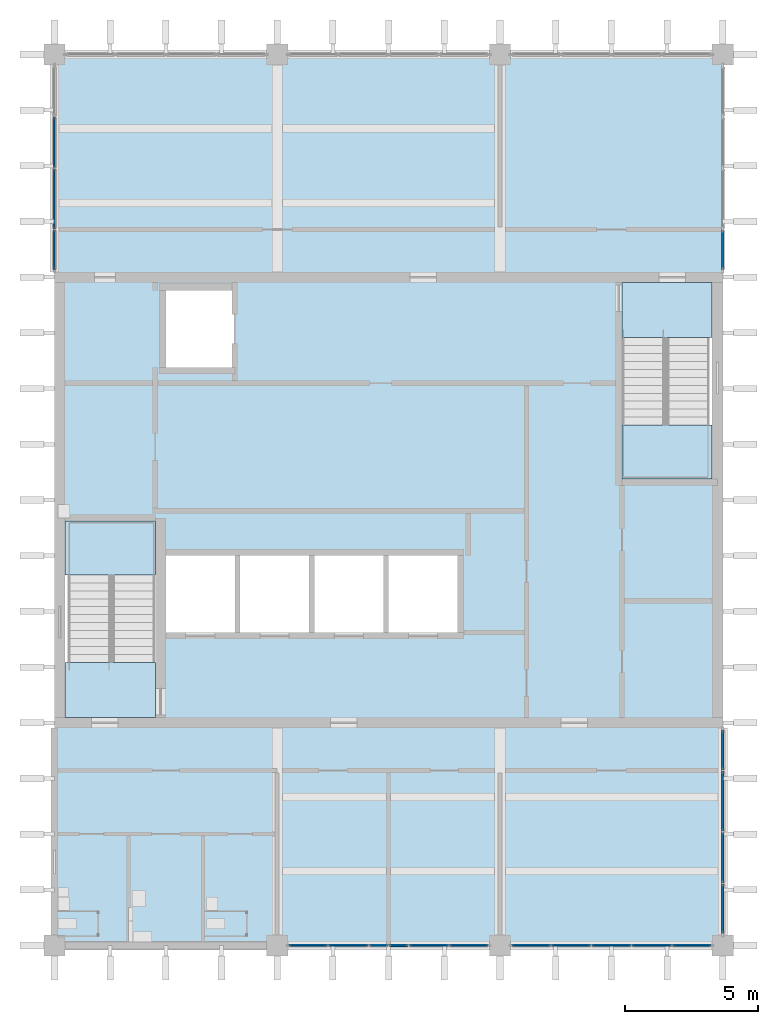
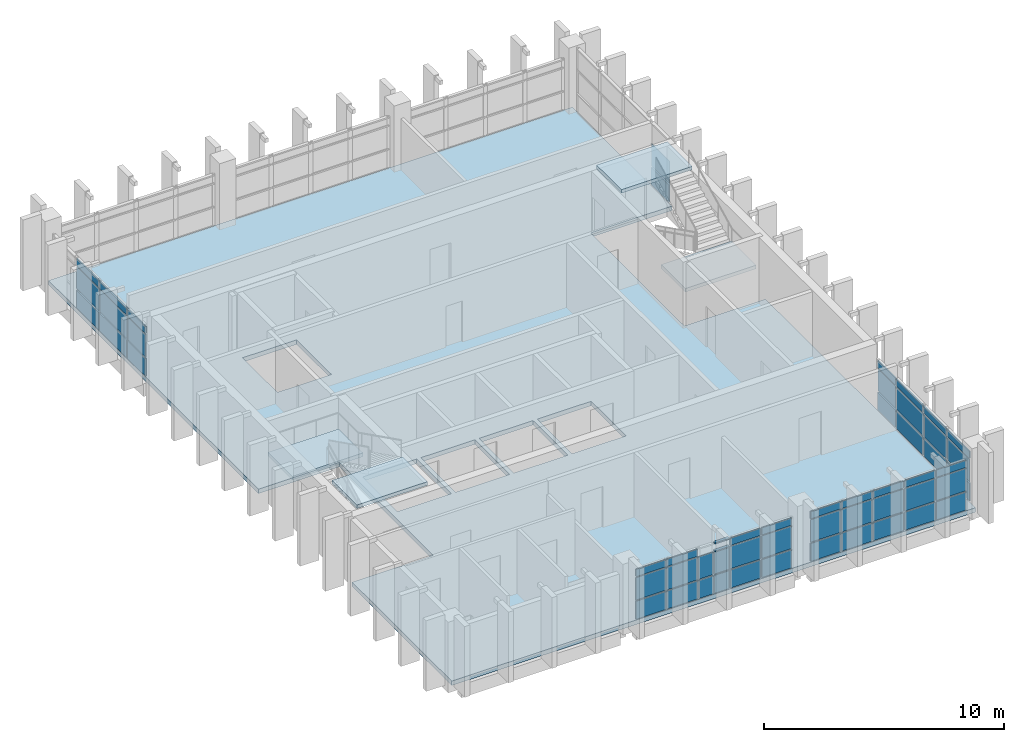
# One storey, part 5 of 11: 54 plates, 5 slabs, 2 members, 7 elements without a shape of their own.
"""IFC4 building model written with IfcOpenShell, lengths in metres."""

from ifc_helpers import new_model, si_unit, direction, frame, origin, origin_2d, place, context, subcontext, project, spatial, polyline, rectangle, outline, extrude, material, layer, layer_set, material_profile, profile_set, type_object, element, aggregate, save


model = new_model("IFC4")

# Units and contexts
model_context = context("Model", 3, precision=1e-05, world=origin(), true_north=direction((0.0, 1.0)))
body_context = subcontext(model_context, "Body", "Model", "MODEL_VIEW")
ifc_project = project(units=[si_unit("LENGTHUNIT", "METRE"), si_unit("AREAUNIT", "SQUARE_METRE"), si_unit("VOLUMEUNIT", "CUBIC_METRE"), si_unit("PLANEANGLEUNIT", "RADIAN"), si_unit("MASSUNIT", "GRAM", prefix="KILO")], contexts=[model_context])

# Site, building, storey
site_placement = place(None, origin())
site = spatial("IfcSite", under=ifc_project, at=site_placement, CompositionType="ELEMENT")
building_placement = place(site_placement, origin())
building = spatial("IfcBuilding", under=site, at=building_placement, Name="Rulbaag Community and Learning Centre", CompositionType="ELEMENT")
storey_placement = place(building_placement, frame((0.0, 0.0, 43.199951171875)))
storey = spatial("IfcBuildingStorey", under=building, at=storey_placement, Name="L11", CompositionType="ELEMENT", Elevation=43.199951171875)

# Curtain wall, members, plates
ifc_material_1 = material(Name="Aluminium", Category="aluminium")
ifc_layer_1 = layer(ifc_material_1, 0.14990234375)
ifc_layer_set_1 = layer_set([ifc_layer_1], Name="CW-S")
curtain_wall_type_1 = type_object("IfcCurtainWallType", Name="CW-S", PredefinedType="USERDEFINED", material=ifc_layer_set_1)
curtain_wall_1_placement = place(storey_placement, origin())
curtain_wall_1 = element("IfcCurtainWall", 1, at=curtain_wall_1_placement, inside=storey, type_object=curtain_wall_type_1, Name="GS-L11-01", ObjectType="UNITISED CURTAIN WALL", PredefinedType="USERDEFINED")
ifc_material_2 = material(Name="Aluminium transom", Category="aluminium")
ifc_material_profile = material_profile(ifc_material_2, rectangle(XDim=0.125, YDim=0.06005859375, at=origin_2d()), Name="AL 60x125 T")
ifc_profile_set = profile_set([ifc_material_profile], Name="Aluminium transom")
member_type = type_object("IfcMemberType", Name="CW-S-TRN", PredefinedType="USERDEFINED", material=ifc_profile_set)
member_1_placement = place(storey_placement, frame((155.429931640625, 84.0, 2.199951171875), z_axis=(1.0, 0.0, 0.0), x_axis=(0.0, 1.0, 0.0)))
member_1 = element("IfcMember", 2, at=member_1_placement, type_object=member_type, Name="GS transom 4.3", ObjectType="TRANSOM", PredefinedType="USERDEFINED", context=body_context, shape_type="SweptSolid", body=[
    extrude(rectangle(XDim=0.125, YDim=0.06005859375, at=origin_2d()), origin(), (0.0, 0.0, 1.0), 0.699951171875),
])
member_2_placement = place(storey_placement, frame((155.429931640625, 84.0, 2.6201171875), z_axis=(1.0, 0.0, 0.0), x_axis=(0.0, 1.0, 0.0)))
member_2 = element("IfcMember", 3, at=member_2_placement, type_object=member_type, Name="GS transom 4.4", ObjectType="TRANSOM", PredefinedType="USERDEFINED", context=body_context, shape_type="SweptSolid", body=[
    extrude(rectangle(XDim=0.125, YDim=0.06005859375, at=origin_2d()), origin(), (0.0, 0.0, 1.0), 0.699951171875),
])
ifc_layer_2 = layer(ifc_material_1, 0.054931640625)
ifc_layer_set_2 = layer_set([ifc_layer_2], Name="CW-S-SPN")
plate_type_1 = type_object("IfcPlateType", Name="CW-S-SPN", PredefinedType="CURTAIN_PANEL", material=ifc_layer_set_2)
plate_1_placement = place(storey_placement, frame((152.375, 84.0, 0.06005859375), z_axis=(0.0, 0.0, 1.0), x_axis=(1.0, 0.0, 0.0)))
plate_1 = element("IfcPlate", 4, at=plate_1_placement, type_object=plate_type_1, Name="GS spandrel panel", PredefinedType="CURTAIN_PANEL", context=body_context, shape_type="SweptSolid", body=[
    extrude(rectangle(XDim=1.429931640625, YDim=0.054931640625, at=origin_2d()), origin(), (0.0, 0.0, 1.0), 0.909912109375),
])
plate_2_placement = place(storey_placement, frame((152.375, 84.0, 2.22998046875), z_axis=(0.0, 0.0, 1.0), x_axis=(1.0, 0.0, 0.0)))
plate_2 = element("IfcPlate", 5, at=plate_2_placement, type_object=plate_type_1, Name="GS spandrel panel", PredefinedType="CURTAIN_PANEL", context=body_context, shape_type="SweptSolid", body=[
    extrude(rectangle(XDim=1.429931640625, YDim=0.054931640625, at=origin_2d()), origin(), (0.0, 0.0, 1.0), 0.360107421875),
])
plate_3_placement = place(storey_placement, frame((153.8798828125, 84.0, 0.06005859375), z_axis=(0.0, 0.0, 1.0), x_axis=(1.0, 0.0, 0.0)))
plate_3 = element("IfcPlate", 6, at=plate_3_placement, type_object=plate_type_1, Name="GS spandrel panel", PredefinedType="CURTAIN_PANEL", context=body_context, shape_type="SweptSolid", body=[
    extrude(rectangle(XDim=1.4599609375, YDim=0.054931640625, at=origin_2d()), origin(), (0.0, 0.0, 1.0), 0.909912109375),
])
plate_4_placement = place(storey_placement, frame((153.8798828125, 84.0, 2.22998046875), z_axis=(0.0, 0.0, 1.0), x_axis=(1.0, 0.0, 0.0)))
plate_4 = element("IfcPlate", 7, at=plate_4_placement, type_object=plate_type_1, Name="GS spandrel panel", PredefinedType="CURTAIN_PANEL", context=body_context, shape_type="SweptSolid", body=[
    extrude(rectangle(XDim=1.4599609375, YDim=0.054931640625, at=origin_2d()), origin(), (0.0, 0.0, 1.0), 0.360107421875),
])
plate_5_placement = place(storey_placement, frame((155.02001953125, 84.0, 0.06005859375), z_axis=(0.0, 0.0, 1.0), x_axis=(1.0, 0.0, 0.0)))
plate_5 = element("IfcPlate", 8, at=plate_5_placement, type_object=plate_type_1, Name="GS spandrel panel", PredefinedType="CURTAIN_PANEL", context=body_context, shape_type="SweptSolid", body=[
    extrude(rectangle(XDim=0.699951171875, YDim=0.054931640625, at=origin_2d()), origin(), (0.0, 0.0, 1.0), 0.909912109375),
])
plate_6_placement = place(storey_placement, frame((155.780029296875, 84.0, 0.06005859375), z_axis=(0.0, 0.0, 1.0), x_axis=(1.0, 0.0, 0.0)))
plate_6 = element("IfcPlate", 9, at=plate_6_placement, type_object=plate_type_1, Name="GS spandrel panel", PredefinedType="CURTAIN_PANEL", context=body_context, shape_type="SweptSolid", body=[
    extrude(rectangle(XDim=0.699951171875, YDim=0.054931640625, at=origin_2d()), origin(), (0.0, 0.0, 1.0), 0.909912109375),
])
plate_7_placement = place(storey_placement, frame((156.919921875, 84.0, 0.06005859375), z_axis=(0.0, 0.0, 1.0), x_axis=(1.0, 0.0, 0.0)))
plate_7 = element("IfcPlate", 10, at=plate_7_placement, type_object=plate_type_1, Name="GS spandrel panel", PredefinedType="CURTAIN_PANEL", context=body_context, shape_type="SweptSolid", body=[
    extrude(rectangle(XDim=1.4599609375, YDim=0.054931640625, at=origin_2d()), origin(), (0.0, 0.0, 1.0), 0.909912109375),
])
plate_8_placement = place(storey_placement, frame((156.919921875, 84.0, 2.22998046875), z_axis=(0.0, 0.0, 1.0), x_axis=(1.0, 0.0, 0.0)))
plate_8 = element("IfcPlate", 11, at=plate_8_placement, type_object=plate_type_1, Name="GS spandrel panel", PredefinedType="CURTAIN_PANEL", context=body_context, shape_type="SweptSolid", body=[
    extrude(rectangle(XDim=1.4599609375, YDim=0.054931640625, at=origin_2d()), origin(), (0.0, 0.0, 1.0), 0.360107421875),
])
plate_9_placement = place(storey_placement, frame((158.425048828125, 84.0, 0.06005859375), z_axis=(0.0, 0.0, 1.0), x_axis=(1.0, 0.0, 0.0)))
plate_9 = element("IfcPlate", 12, at=plate_9_placement, type_object=plate_type_1, Name="GS spandrel panel", PredefinedType="CURTAIN_PANEL", context=body_context, shape_type="SweptSolid", body=[
    extrude(rectangle(XDim=1.429931640625, YDim=0.054931640625, at=origin_2d()), origin(), (0.0, 0.0, 1.0), 0.909912109375),
])
plate_10_placement = place(storey_placement, frame((158.425048828125, 84.0, 2.22998046875), z_axis=(0.0, 0.0, 1.0), x_axis=(1.0, 0.0, 0.0)))
plate_10 = element("IfcPlate", 13, at=plate_10_placement, type_object=plate_type_1, Name="GS spandrel panel", PredefinedType="CURTAIN_PANEL", context=body_context, shape_type="SweptSolid", body=[
    extrude(rectangle(XDim=1.429931640625, YDim=0.054931640625, at=origin_2d()), origin(), (0.0, 0.0, 1.0), 0.360107421875),
])

# Curtain wall, plates
curtain_wall_2_placement = place(storey_placement, origin())
curtain_wall_2 = element("IfcCurtainWall", 14, at=curtain_wall_2_placement, inside=storey, type_object=curtain_wall_type_1, Name="GS-L11-02", ObjectType="UNITISED CURTAIN WALL", PredefinedType="USERDEFINED")
plate_11_placement = place(storey_placement, frame((160.77490234375, 84.0, 0.06005859375), z_axis=(0.0, 0.0, 1.0), x_axis=(1.0, 0.0, 0.0)))
plate_11 = element("IfcPlate", 15, at=plate_11_placement, type_object=plate_type_1, Name="GS spandrel panel", PredefinedType="CURTAIN_PANEL", context=body_context, shape_type="SweptSolid", body=[
    extrude(rectangle(XDim=1.429931640625, YDim=0.054931640625, at=origin_2d()), origin(), (0.0, 0.0, 1.0), 0.909912109375),
])
plate_12_placement = place(storey_placement, frame((160.77490234375, 84.0, 2.22998046875), z_axis=(0.0, 0.0, 1.0), x_axis=(1.0, 0.0, 0.0)))
plate_12 = element("IfcPlate", 16, at=plate_12_placement, type_object=plate_type_1, Name="GS spandrel panel", PredefinedType="CURTAIN_PANEL", context=body_context, shape_type="SweptSolid", body=[
    extrude(rectangle(XDim=1.429931640625, YDim=0.054931640625, at=origin_2d()), origin(), (0.0, 0.0, 1.0), 0.360107421875),
])
plate_13_placement = place(storey_placement, frame((162.280029296875, 84.0, 0.06005859375), z_axis=(0.0, 0.0, 1.0), x_axis=(1.0, 0.0, 0.0)))
plate_13 = element("IfcPlate", 17, at=plate_13_placement, type_object=plate_type_1, Name="GS spandrel panel", PredefinedType="CURTAIN_PANEL", context=body_context, shape_type="SweptSolid", body=[
    extrude(rectangle(XDim=1.4599609375, YDim=0.054931640625, at=origin_2d()), origin(), (0.0, 0.0, 1.0), 0.909912109375),
])
plate_14_placement = place(storey_placement, frame((162.280029296875, 84.0, 2.22998046875), z_axis=(0.0, 0.0, 1.0), x_axis=(1.0, 0.0, 0.0)))
plate_14 = element("IfcPlate", 18, at=plate_14_placement, type_object=plate_type_1, Name="GS spandrel panel", PredefinedType="CURTAIN_PANEL", context=body_context, shape_type="SweptSolid", body=[
    extrude(rectangle(XDim=1.4599609375, YDim=0.054931640625, at=origin_2d()), origin(), (0.0, 0.0, 1.0), 0.360107421875),
])
plate_15_placement = place(storey_placement, frame((163.800048828125, 84.0, 0.06005859375), z_axis=(0.0, 0.0, 1.0), x_axis=(1.0, 0.0, 0.0)))
plate_15 = element("IfcPlate", 19, at=plate_15_placement, type_object=plate_type_1, Name="GS spandrel panel", PredefinedType="CURTAIN_PANEL", context=body_context, shape_type="SweptSolid", body=[
    extrude(rectangle(XDim=1.4599609375, YDim=0.054931640625, at=origin_2d()), origin(), (0.0, 0.0, 1.0), 0.909912109375),
])
plate_16_placement = place(storey_placement, frame((163.800048828125, 84.0, 2.22998046875), z_axis=(0.0, 0.0, 1.0), x_axis=(1.0, 0.0, 0.0)))
plate_16 = element("IfcPlate", 20, at=plate_16_placement, type_object=plate_type_1, Name="GS spandrel panel", PredefinedType="CURTAIN_PANEL", context=body_context, shape_type="SweptSolid", body=[
    extrude(rectangle(XDim=1.4599609375, YDim=0.054931640625, at=origin_2d()), origin(), (0.0, 0.0, 1.0), 0.360107421875),
])
plate_17_placement = place(storey_placement, frame((165.320068359375, 84.0, 0.06005859375), z_axis=(0.0, 0.0, 1.0), x_axis=(1.0, 0.0, 0.0)))
plate_17 = element("IfcPlate", 21, at=plate_17_placement, type_object=plate_type_1, Name="GS spandrel panel", PredefinedType="CURTAIN_PANEL", context=body_context, shape_type="SweptSolid", body=[
    extrude(rectangle(XDim=1.4599609375, YDim=0.054931640625, at=origin_2d()), origin(), (0.0, 0.0, 1.0), 0.909912109375),
])
plate_18_placement = place(storey_placement, frame((165.320068359375, 84.0, 2.22998046875), z_axis=(0.0, 0.0, 1.0), x_axis=(1.0, 0.0, 0.0)))
plate_18 = element("IfcPlate", 22, at=plate_18_placement, type_object=plate_type_1, Name="GS spandrel panel", PredefinedType="CURTAIN_PANEL", context=body_context, shape_type="SweptSolid", body=[
    extrude(rectangle(XDim=1.4599609375, YDim=0.054931640625, at=origin_2d()), origin(), (0.0, 0.0, 1.0), 0.360107421875),
])
plate_19_placement = place(storey_placement, frame((166.824951171875, 84.0, 0.06005859375), z_axis=(0.0, 0.0, 1.0), x_axis=(1.0, 0.0, 0.0)))
plate_19 = element("IfcPlate", 23, at=plate_19_placement, type_object=plate_type_1, Name="GS spandrel panel", PredefinedType="CURTAIN_PANEL", context=body_context, shape_type="SweptSolid", body=[
    extrude(rectangle(XDim=1.429931640625, YDim=0.054931640625, at=origin_2d()), origin(), (0.0, 0.0, 1.0), 0.909912109375),
])
plate_20_placement = place(storey_placement, frame((166.824951171875, 84.0, 2.22998046875), z_axis=(0.0, 0.0, 1.0), x_axis=(1.0, 0.0, 0.0)))
plate_20 = element("IfcPlate", 24, at=plate_20_placement, type_object=plate_type_1, Name="GS spandrel panel", PredefinedType="CURTAIN_PANEL", context=body_context, shape_type="SweptSolid", body=[
    extrude(rectangle(XDim=1.429931640625, YDim=0.054931640625, at=origin_2d()), origin(), (0.0, 0.0, 1.0), 0.360107421875),
])

# Plate
ifc_material_3 = material(Name="Glass", Category="glass")
ifc_layer_3 = layer(ifc_material_3, 0.030029296875)
ifc_layer_set_3 = layer_set([ifc_layer_3], Name="CW-S-VIS")
plate_type_2 = type_object("IfcPlateType", Name="CW-S-VIS", PredefinedType="CURTAIN_PANEL", material=ifc_layer_set_3)
plate_21_placement = place(storey_placement, frame((152.375, 84.0, 1.0302734375), z_axis=(0.0, 0.0, 1.0), x_axis=(1.0, 0.0, 0.0)))
plate_21 = element("IfcPlate", 25, at=plate_21_placement, type_object=plate_type_2, Name="GS vision panel", PredefinedType="CURTAIN_PANEL", context=body_context, shape_type="SweptSolid", body=[
    extrude(rectangle(XDim=1.429931640625, YDim=0.030029296875, at=origin_2d()), origin(), (0.0, 0.0, 1.0), 1.139892578125),
])

plate_22_placement = place(storey_placement, frame((153.8798828125, 84.0, 1.0302734375), z_axis=(0.0, 0.0, 1.0), x_axis=(1.0, 0.0, 0.0)))
plate_22 = element("IfcPlate", 26, at=plate_22_placement, type_object=plate_type_2, Name="GS vision panel", PredefinedType="CURTAIN_PANEL", context=body_context, shape_type="SweptSolid", body=[
    extrude(rectangle(XDim=1.4599609375, YDim=0.030029296875, at=origin_2d()), origin(), (0.0, 0.0, 1.0), 1.139892578125),
])

plate_23_placement = place(storey_placement, frame((155.02001953125, 84.0, 1.0302734375), z_axis=(0.0, 0.0, 1.0), x_axis=(1.0, 0.0, 0.0)))
plate_23 = element("IfcPlate", 27, at=plate_23_placement, type_object=plate_type_2, Name="GS vision panel", PredefinedType="CURTAIN_PANEL", context=body_context, shape_type="SweptSolid", body=[
    extrude(rectangle(XDim=0.699951171875, YDim=0.030029296875, at=origin_2d()), origin(), (0.0, 0.0, 1.0), 1.139892578125),
])

plate_24_placement = place(storey_placement, frame((155.780029296875, 84.0, 1.0302734375), z_axis=(0.0, 0.0, 1.0), x_axis=(1.0, 0.0, 0.0)))
plate_24 = element("IfcPlate", 28, at=plate_24_placement, type_object=plate_type_2, Name="GS vision panel", PredefinedType="CURTAIN_PANEL", context=body_context, shape_type="SweptSolid", body=[
    extrude(rectangle(XDim=0.699951171875, YDim=0.030029296875, at=origin_2d()), origin(), (0.0, 0.0, 1.0), 1.139892578125),
])

plate_25_placement = place(storey_placement, frame((156.919921875, 84.0, 1.0302734375), z_axis=(0.0, 0.0, 1.0), x_axis=(1.0, 0.0, 0.0)))
plate_25 = element("IfcPlate", 29, at=plate_25_placement, type_object=plate_type_2, Name="GS vision panel", PredefinedType="CURTAIN_PANEL", context=body_context, shape_type="SweptSolid", body=[
    extrude(rectangle(XDim=1.4599609375, YDim=0.030029296875, at=origin_2d()), origin(), (0.0, 0.0, 1.0), 1.139892578125),
])

plate_26_placement = place(storey_placement, frame((158.425048828125, 84.0, 1.0302734375), z_axis=(0.0, 0.0, 1.0), x_axis=(1.0, 0.0, 0.0)))
plate_26 = element("IfcPlate", 30, at=plate_26_placement, type_object=plate_type_2, Name="GS vision panel", PredefinedType="CURTAIN_PANEL", context=body_context, shape_type="SweptSolid", body=[
    extrude(rectangle(XDim=1.429931640625, YDim=0.030029296875, at=origin_2d()), origin(), (0.0, 0.0, 1.0), 1.139892578125),
])

aggregate(curtain_wall_1, [plate_1, plate_21, plate_2, plate_3, plate_22, plate_4, plate_5, plate_23, member_1, member_2, plate_6, plate_24, plate_7, plate_25, plate_8, plate_9, plate_26, plate_10])

plate_27_placement = place(storey_placement, frame((160.77490234375, 84.0, 1.0302734375), z_axis=(0.0, 0.0, 1.0), x_axis=(1.0, 0.0, 0.0)))
plate_27 = element("IfcPlate", 31, at=plate_27_placement, type_object=plate_type_2, Name="GS vision panel", PredefinedType="CURTAIN_PANEL", context=body_context, shape_type="SweptSolid", body=[
    extrude(rectangle(XDim=1.429931640625, YDim=0.030029296875, at=origin_2d()), origin(), (0.0, 0.0, 1.0), 1.139892578125),
])

plate_28_placement = place(storey_placement, frame((162.280029296875, 84.0, 1.0302734375), z_axis=(0.0, 0.0, 1.0), x_axis=(1.0, 0.0, 0.0)))
plate_28 = element("IfcPlate", 32, at=plate_28_placement, type_object=plate_type_2, Name="GS vision panel", PredefinedType="CURTAIN_PANEL", context=body_context, shape_type="SweptSolid", body=[
    extrude(rectangle(XDim=1.4599609375, YDim=0.030029296875, at=origin_2d()), origin(), (0.0, 0.0, 1.0), 1.139892578125),
])

plate_29_placement = place(storey_placement, frame((163.800048828125, 84.0, 1.0302734375), z_axis=(0.0, 0.0, 1.0), x_axis=(1.0, 0.0, 0.0)))
plate_29 = element("IfcPlate", 33, at=plate_29_placement, type_object=plate_type_2, Name="GS vision panel", PredefinedType="CURTAIN_PANEL", context=body_context, shape_type="SweptSolid", body=[
    extrude(rectangle(XDim=1.4599609375, YDim=0.030029296875, at=origin_2d()), origin(), (0.0, 0.0, 1.0), 1.139892578125),
])

plate_30_placement = place(storey_placement, frame((165.320068359375, 84.0, 1.0302734375), z_axis=(0.0, 0.0, 1.0), x_axis=(1.0, 0.0, 0.0)))
plate_30 = element("IfcPlate", 34, at=plate_30_placement, type_object=plate_type_2, Name="GS vision panel", PredefinedType="CURTAIN_PANEL", context=body_context, shape_type="SweptSolid", body=[
    extrude(rectangle(XDim=1.4599609375, YDim=0.030029296875, at=origin_2d()), origin(), (0.0, 0.0, 1.0), 1.139892578125),
])

plate_31_placement = place(storey_placement, frame((166.824951171875, 84.0, 1.0302734375), z_axis=(0.0, 0.0, 1.0), x_axis=(1.0, 0.0, 0.0)))
plate_31 = element("IfcPlate", 35, at=plate_31_placement, type_object=plate_type_2, Name="GS vision panel", PredefinedType="CURTAIN_PANEL", context=body_context, shape_type="SweptSolid", body=[
    extrude(rectangle(XDim=1.429931640625, YDim=0.030029296875, at=origin_2d()), origin(), (0.0, 0.0, 1.0), 1.139892578125),
])

aggregate(curtain_wall_2, [plate_11, plate_27, plate_12, plate_13, plate_28, plate_14, plate_15, plate_29, plate_16, plate_17, plate_30, plate_18, plate_19, plate_31, plate_20])

# Curtain wall, plates
ifc_layer_4 = layer(ifc_material_1, 0.14990234375)
ifc_layer_set_4 = layer_set([ifc_layer_4], Name="CW-T")
curtain_wall_type_2 = type_object("IfcCurtainWallType", Name="CW-T", PredefinedType="USERDEFINED", material=ifc_layer_set_4)
curtain_wall_3_placement = place(storey_placement, origin())
curtain_wall_3 = element("IfcCurtainWall", 36, at=curtain_wall_3_placement, inside=storey, type_object=curtain_wall_type_2, Name="GT-L11-04", ObjectType="UNITISED CURTAIN WALL", PredefinedType="USERDEFINED")
ifc_layer_5 = layer(ifc_material_1, 0.06005859375)
ifc_layer_set_5 = layer_set([ifc_layer_5], Name="CW-T-SPN")
plate_type_3 = type_object("IfcPlateType", Name="CW-T-SPN", PredefinedType="CURTAIN_PANEL", material=ifc_layer_set_5)
plate_32_placement = place(storey_placement, frame((142.800048828125, 110.228759765625, 0.06494140625), z_axis=(0.0, 0.0, 1.0), x_axis=(0.0, 1.0, 0.0)))
plate_32 = element("IfcPlate", 37, at=plate_32_placement, type_object=plate_type_3, Name="GT spandrel panel", PredefinedType="CURTAIN_PANEL", context=body_context, shape_type="SweptSolid", body=[
    extrude(rectangle(XDim=1.4775390625, YDim=0.06005859375, at=origin_2d()), origin(), (0.0, 0.0, 1.0), 0.902587890625),
])
plate_33_placement = place(storey_placement, frame((142.800048828125, 110.228759765625, 2.232421875), z_axis=(0.0, 0.0, 1.0), x_axis=(0.0, 1.0, 0.0)))
plate_33 = element("IfcPlate", 38, at=plate_33_placement, type_object=plate_type_3, Name="GT spandrel panel", PredefinedType="CURTAIN_PANEL", context=body_context, shape_type="SweptSolid", body=[
    extrude(rectangle(XDim=1.4775390625, YDim=0.06005859375, at=origin_2d()), origin(), (0.0, 0.0, 1.0), 0.3525390625),
])
plate_34_placement = place(storey_placement, frame((142.800048828125, 112.15625, 0.06494140625), z_axis=(0.0, 0.0, 1.0), x_axis=(0.0, 1.0, 0.0)))
plate_34 = element("IfcPlate", 39, at=plate_34_placement, type_object=plate_type_3, Name="GT spandrel panel", PredefinedType="CURTAIN_PANEL", context=body_context, shape_type="SweptSolid", body=[
    extrude(rectangle(XDim=2.24755859375, YDim=0.06005859375, at=origin_2d()), origin(), (0.0, 0.0, 1.0), 0.902587890625),
])
plate_35_placement = place(storey_placement, frame((142.800048828125, 112.15625, 2.232421875), z_axis=(0.0, 0.0, 1.0), x_axis=(0.0, 1.0, 0.0)))
plate_35 = element("IfcPlate", 40, at=plate_35_placement, type_object=plate_type_3, Name="GT spandrel panel", PredefinedType="CURTAIN_PANEL", context=body_context, shape_type="SweptSolid", body=[
    extrude(rectangle(XDim=2.24755859375, YDim=0.06005859375, at=origin_2d()), origin(), (0.0, 0.0, 1.0), 0.3525390625),
])
plate_36_placement = place(storey_placement, frame((142.800048828125, 114.284423828125, 0.06494140625), z_axis=(0.0, 0.0, 1.0), x_axis=(0.0, 1.0, 0.0)))
plate_36 = element("IfcPlate", 41, at=plate_36_placement, type_object=plate_type_3, Name="GT spandrel panel", PredefinedType="CURTAIN_PANEL", context=body_context, shape_type="SweptSolid", body=[
    extrude(rectangle(XDim=1.878662109375, YDim=0.06005859375, at=origin_2d()), origin(), (0.0, 0.0, 1.0), 0.902587890625),
])
plate_37_placement = place(storey_placement, frame((142.800048828125, 114.284423828125, 2.232421875), z_axis=(0.0, 0.0, 1.0), x_axis=(0.0, 1.0, 0.0)))
plate_37 = element("IfcPlate", 42, at=plate_37_placement, type_object=plate_type_3, Name="GT spandrel panel", PredefinedType="CURTAIN_PANEL", context=body_context, shape_type="SweptSolid", body=[
    extrude(rectangle(XDim=1.878662109375, YDim=0.06005859375, at=origin_2d()), origin(), (0.0, 0.0, 1.0), 0.3525390625),
])

curtain_wall_4_placement = place(storey_placement, origin())
curtain_wall_4 = element("IfcCurtainWall", 43, at=curtain_wall_4_placement, inside=storey, type_object=curtain_wall_type_2, Name="GT-L11-05", ObjectType="UNITISED CURTAIN WALL", PredefinedType="USERDEFINED")
plate_38_placement = place(storey_placement, frame((168.0, 85.38818359375, 0.06494140625), z_axis=(0.0, 0.0, 1.0), x_axis=(0.0, 1.0, 0.0)))
plate_38 = element("IfcPlate", 44, at=plate_38_placement, type_object=plate_type_3, Name="GT spandrel panel", PredefinedType="CURTAIN_PANEL", context=body_context, shape_type="SweptSolid", body=[
    extrude(rectangle(XDim=1.84619140625, YDim=0.06005859375, at=origin_2d()), origin(), (0.0, 0.0, 1.0), 0.902587890625),
])
plate_39_placement = place(storey_placement, frame((168.0, 85.38818359375, 2.232421875), z_axis=(0.0, 0.0, 1.0), x_axis=(0.0, 1.0, 0.0)))
plate_39 = element("IfcPlate", 45, at=plate_39_placement, type_object=plate_type_3, Name="GT spandrel panel", PredefinedType="CURTAIN_PANEL", context=body_context, shape_type="SweptSolid", body=[
    extrude(rectangle(XDim=1.84619140625, YDim=0.06005859375, at=origin_2d()), origin(), (0.0, 0.0, 1.0), 0.3525390625),
])
plate_40_placement = place(storey_placement, frame((168.0, 87.315673828125, 0.06494140625), z_axis=(0.0, 0.0, 1.0), x_axis=(0.0, 1.0, 0.0)))
plate_40 = element("IfcPlate", 46, at=plate_40_placement, type_object=plate_type_3, Name="GT spandrel panel", PredefinedType="CURTAIN_PANEL", context=body_context, shape_type="SweptSolid", body=[
    extrude(rectangle(XDim=1.878662109375, YDim=0.06005859375, at=origin_2d()), origin(), (0.0, 0.0, 1.0), 0.902587890625),
])
plate_41_placement = place(storey_placement, frame((168.0, 87.315673828125, 2.232421875), z_axis=(0.0, 0.0, 1.0), x_axis=(0.0, 1.0, 0.0)))
plate_41 = element("IfcPlate", 47, at=plate_41_placement, type_object=plate_type_3, Name="GT spandrel panel", PredefinedType="CURTAIN_PANEL", context=body_context, shape_type="SweptSolid", body=[
    extrude(rectangle(XDim=1.878662109375, YDim=0.06005859375, at=origin_2d()), origin(), (0.0, 0.0, 1.0), 0.3525390625),
])
plate_42_placement = place(storey_placement, frame((168.0, 89.44384765625, 0.06494140625), z_axis=(0.0, 0.0, 1.0), x_axis=(0.0, 1.0, 0.0)))
plate_42 = element("IfcPlate", 48, at=plate_42_placement, type_object=plate_type_3, Name="GT spandrel panel", PredefinedType="CURTAIN_PANEL", context=body_context, shape_type="SweptSolid", body=[
    extrude(rectangle(XDim=2.24755859375, YDim=0.06005859375, at=origin_2d()), origin(), (0.0, 0.0, 1.0), 0.902587890625),
])
plate_43_placement = place(storey_placement, frame((168.0, 89.44384765625, 2.232421875), z_axis=(0.0, 0.0, 1.0), x_axis=(0.0, 1.0, 0.0)))
plate_43 = element("IfcPlate", 49, at=plate_43_placement, type_object=plate_type_3, Name="GT spandrel panel", PredefinedType="CURTAIN_PANEL", context=body_context, shape_type="SweptSolid", body=[
    extrude(rectangle(XDim=2.24755859375, YDim=0.06005859375, at=origin_2d()), origin(), (0.0, 0.0, 1.0), 0.3525390625),
])
plate_44_placement = place(storey_placement, frame((168.0, 91.371337890625, 0.06494140625), z_axis=(0.0, 0.0, 1.0), x_axis=(0.0, 1.0, 0.0)))
plate_44 = element("IfcPlate", 50, at=plate_44_placement, type_object=plate_type_3, Name="GT spandrel panel", PredefinedType="CURTAIN_PANEL", context=body_context, shape_type="SweptSolid", body=[
    extrude(rectangle(XDim=1.4775390625, YDim=0.06005859375, at=origin_2d()), origin(), (0.0, 0.0, 1.0), 0.902587890625),
])
plate_45_placement = place(storey_placement, frame((168.0, 91.371337890625, 2.232421875), z_axis=(0.0, 0.0, 1.0), x_axis=(0.0, 1.0, 0.0)))
plate_45 = element("IfcPlate", 51, at=plate_45_placement, type_object=plate_type_3, Name="GT spandrel panel", PredefinedType="CURTAIN_PANEL", context=body_context, shape_type="SweptSolid", body=[
    extrude(rectangle(XDim=1.4775390625, YDim=0.06005859375, at=origin_2d()), origin(), (0.0, 0.0, 1.0), 0.3525390625),
])

# Curtain wall, plate
curtain_wall_5_placement = place(storey_placement, origin())
curtain_wall_5 = element("IfcCurtainWall", 52, at=curtain_wall_5_placement, inside=storey, type_object=curtain_wall_type_2, Name="GT-L11-06", ObjectType="UNITISED CURTAIN WALL", PredefinedType="USERDEFINED")
plate_46_placement = place(storey_placement, frame((168.0, 110.228759765625, 0.06494140625), z_axis=(0.0, 0.0, 1.0), x_axis=(0.0, 1.0, 0.0)))
plate_46 = element("IfcPlate", 53, at=plate_46_placement, type_object=plate_type_3, Name="GT spandrel panel", PredefinedType="CURTAIN_PANEL", context=body_context, shape_type="SweptSolid", body=[
    extrude(rectangle(XDim=1.4775390625, YDim=0.06005859375, at=origin_2d()), origin(), (0.0, 0.0, 1.0), 0.902587890625),
])

# Plate
ifc_layer_6 = layer(ifc_material_3, 0.028076171875)
ifc_layer_set_6 = layer_set([ifc_layer_6], Name="CW-T-VIS")
plate_type_4 = type_object("IfcPlateType", Name="CW-T-VIS", PredefinedType="CURTAIN_PANEL", material=ifc_layer_set_6)
plate_47_placement = place(storey_placement, frame((142.800048828125, 110.228759765625, 1.03271484375), z_axis=(0.0, 0.0, 1.0), x_axis=(0.0, 1.0, 0.0)))
plate_47 = element("IfcPlate", 54, at=plate_47_placement, type_object=plate_type_4, Name="GT vision panel", PredefinedType="CURTAIN_PANEL", context=body_context, shape_type="SweptSolid", body=[
    extrude(rectangle(XDim=1.4775390625, YDim=0.028076171875, at=origin_2d()), origin(), (0.0, 0.0, 1.0), 1.135009765625),
])

plate_48_placement = place(storey_placement, frame((142.800048828125, 112.15625, 1.03271484375), z_axis=(0.0, 0.0, 1.0), x_axis=(0.0, 1.0, 0.0)))
plate_48 = element("IfcPlate", 55, at=plate_48_placement, type_object=plate_type_4, Name="GT vision panel", PredefinedType="CURTAIN_PANEL", context=body_context, shape_type="SweptSolid", body=[
    extrude(rectangle(XDim=2.24755859375, YDim=0.028076171875, at=origin_2d()), origin(), (0.0, 0.0, 1.0), 1.135009765625),
])

plate_49_placement = place(storey_placement, frame((142.800048828125, 114.284423828125, 1.03271484375), z_axis=(0.0, 0.0, 1.0), x_axis=(0.0, 1.0, 0.0)))
plate_49 = element("IfcPlate", 56, at=plate_49_placement, type_object=plate_type_4, Name="GT vision panel", PredefinedType="CURTAIN_PANEL", context=body_context, shape_type="SweptSolid", body=[
    extrude(rectangle(XDim=1.878662109375, YDim=0.028076171875, at=origin_2d()), origin(), (0.0, 0.0, 1.0), 1.135009765625),
])

aggregate(curtain_wall_3, [plate_32, plate_47, plate_33, plate_34, plate_48, plate_35, plate_36, plate_49, plate_37])

plate_50_placement = place(storey_placement, frame((168.0, 85.38818359375, 1.03271484375), z_axis=(0.0, 0.0, 1.0), x_axis=(0.0, 1.0, 0.0)))
plate_50 = element("IfcPlate", 57, at=plate_50_placement, type_object=plate_type_4, Name="GT vision panel", PredefinedType="CURTAIN_PANEL", context=body_context, shape_type="SweptSolid", body=[
    extrude(rectangle(XDim=1.84619140625, YDim=0.028076171875, at=origin_2d()), origin(), (0.0, 0.0, 1.0), 1.135009765625),
])

plate_51_placement = place(storey_placement, frame((168.0, 87.315673828125, 1.03271484375), z_axis=(0.0, 0.0, 1.0), x_axis=(0.0, 1.0, 0.0)))
plate_51 = element("IfcPlate", 58, at=plate_51_placement, type_object=plate_type_4, Name="GT vision panel", PredefinedType="CURTAIN_PANEL", context=body_context, shape_type="SweptSolid", body=[
    extrude(rectangle(XDim=1.878662109375, YDim=0.028076171875, at=origin_2d()), origin(), (0.0, 0.0, 1.0), 1.135009765625),
])

plate_52_placement = place(storey_placement, frame((168.0, 89.44384765625, 1.03271484375), z_axis=(0.0, 0.0, 1.0), x_axis=(0.0, 1.0, 0.0)))
plate_52 = element("IfcPlate", 59, at=plate_52_placement, type_object=plate_type_4, Name="GT vision panel", PredefinedType="CURTAIN_PANEL", context=body_context, shape_type="SweptSolid", body=[
    extrude(rectangle(XDim=2.24755859375, YDim=0.028076171875, at=origin_2d()), origin(), (0.0, 0.0, 1.0), 1.135009765625),
])

plate_53_placement = place(storey_placement, frame((168.0, 91.371337890625, 1.03271484375), z_axis=(0.0, 0.0, 1.0), x_axis=(0.0, 1.0, 0.0)))
plate_53 = element("IfcPlate", 60, at=plate_53_placement, type_object=plate_type_4, Name="GT vision panel", PredefinedType="CURTAIN_PANEL", context=body_context, shape_type="SweptSolid", body=[
    extrude(rectangle(XDim=1.4775390625, YDim=0.028076171875, at=origin_2d()), origin(), (0.0, 0.0, 1.0), 1.135009765625),
])

aggregate(curtain_wall_4, [plate_38, plate_50, plate_39, plate_40, plate_51, plate_41, plate_42, plate_52, plate_43, plate_44, plate_53, plate_45])

plate_54_placement = place(storey_placement, frame((168.0, 110.228759765625, 1.03271484375), z_axis=(0.0, 0.0, 1.0), x_axis=(0.0, 1.0, 0.0)))
plate_54 = element("IfcPlate", 61, at=plate_54_placement, type_object=plate_type_4, Name="GT vision panel", PredefinedType="CURTAIN_PANEL", context=body_context, shape_type="SweptSolid", body=[
    extrude(rectangle(XDim=1.4775390625, YDim=0.028076171875, at=origin_2d()), origin(), (0.0, 0.0, 1.0), 1.135009765625),
])

aggregate(curtain_wall_5, [plate_46, plate_54])

# Stair, slabs
ifc_material_4 = material(Name="Concrete M40", Category="concrete")
stair_type = type_object("IfcStairType", Name="ST-1650 STAIR 1650 WIDE", PredefinedType="HALF_TURN_STAIR", material=ifc_material_4)
stair_1_placement = place(storey_placement, origin())
stair_1 = element("IfcStair", 62, at=stair_1_placement, inside=storey, type_object=stair_type, Name="Stair ST1 L11", PredefinedType="HALF_TURN_STAIR")
ifc_layer_7 = layer(ifc_material_4, 0.179931640625)
ifc_layer_set_7 = layer_set([ifc_layer_7], Name="LN-180 LANDING 180 Concrete M40")
slab_type_1 = type_object("IfcSlabType", Name="LN-180 LANDING 180 Concrete M40", PredefinedType="LANDING", material=ifc_layer_set_7)
slab_1_placement = place(storey_placement, frame((0.0, 0.0, 1.6201171875)))
slab_1 = element("IfcSlab", 63, at=slab_1_placement, type_object=slab_type_1, Name="ST1 landing 1", PredefinedType="LANDING", context=body_context, shape_type="SweptSolid", body=[
    extrude(outline(polyline([(143.199951171875, 97.97509765625), (143.199951171875, 100.0), (146.60009765625, 100.0), (146.60009765625, 97.97509765625), (143.199951171875, 97.97509765625)])), origin(), (0.0, 0.0, 1.0), 0.179931640625),
])
slab_2_placement = place(storey_placement, frame((0.0, 0.0, 3.420166015625)))
slab_2 = element("IfcSlab", 64, at=slab_2_placement, type_object=slab_type_1, Name="ST1 landing 2", PredefinedType="LANDING", context=body_context, shape_type="SweptSolid", body=[
    extrude(outline(polyline([(143.199951171875, 92.60009765625), (143.199951171875, 94.675048828125), (146.60009765625, 94.675048828125), (146.60009765625, 92.60009765625), (143.199951171875, 92.60009765625)])), origin(), (0.0, 0.0, 1.0), 0.179931640625),
])
aggregate(stair_1, [slab_1, slab_2])

stair_2_placement = place(storey_placement, origin())
stair_2 = element("IfcStair", 65, at=stair_2_placement, inside=storey, type_object=stair_type, Name="Stair ST2 L11", PredefinedType="HALF_TURN_STAIR")
slab_3_placement = place(storey_placement, frame((0.0, 0.0, 1.6201171875)))
slab_3 = element("IfcSlab", 66, at=slab_3_placement, type_object=slab_type_1, Name="ST2 landing 1", PredefinedType="LANDING", context=body_context, shape_type="SweptSolid", body=[
    extrude(outline(polyline([(164.199951171875, 101.60009765625), (164.199951171875, 103.625), (167.60009765625, 103.625), (167.60009765625, 101.60009765625), (164.199951171875, 101.60009765625)])), origin(), (0.0, 0.0, 1.0), 0.179931640625),
])
slab_4_placement = place(storey_placement, frame((0.0, 0.0, 3.420166015625)))
slab_4 = element("IfcSlab", 67, at=slab_4_placement, type_object=slab_type_1, Name="ST2 landing 2", PredefinedType="LANDING", context=body_context, shape_type="SweptSolid", body=[
    extrude(outline(polyline([(164.199951171875, 106.925048828125), (164.199951171875, 109.0), (167.60009765625, 109.0), (167.60009765625, 106.925048828125), (164.199951171875, 106.925048828125)])), origin(), (0.0, 0.0, 1.0), 0.179931640625),
])
aggregate(stair_2, [slab_3, slab_4])

# Slab
ifc_layer_8 = layer(ifc_material_4, 0.22509765625)
ifc_layer_set_8 = layer_set([ifc_layer_8], Name="S11 Floor slab 225 Concrete M40")
slab_type_2 = type_object("IfcSlabType", Name="S11 Floor slab 225 Concrete M40", PredefinedType="FLOOR", material=ifc_layer_set_8)
slab_5_placement = place(storey_placement, frame((0.0, 0.0, -0.224853515625)))
element("IfcSlab", 68, at=slab_5_placement, inside=storey, type_object=slab_type_2, Name="SL-L11-B01", PredefinedType="FLOOR", context=body_context, shape_type="SweptSolid", body=[
    extrude(outline(polyline([(168.0, 84.0), (142.800048828125, 84.0), (142.800048828125, 92.300048828125), (146.699951171875, 92.300048828125), (146.699951171875, 100.10009765625), (142.800048828125, 100.10009765625), (142.800048828125, 117.60009765625), (168.0, 117.60009765625), (168.0, 109.300048828125), (164.10009765625, 109.300048828125), (164.10009765625, 101.5), (168.0, 101.5), (168.0, 84.0)]), holes=[polyline([(147.0, 98.699951171875), (147.0, 95.800048828125), (149.60009765625, 95.800048828125), (149.60009765625, 98.699951171875), (147.0, 98.699951171875)]), polyline([(149.800048828125, 98.699951171875), (149.800048828125, 95.800048828125), (152.39990234375, 95.800048828125), (152.39990234375, 98.699951171875), (149.800048828125, 98.699951171875)]), polyline([(152.60009765625, 98.699951171875), (152.60009765625, 95.800048828125), (155.199951171875, 95.800048828125), (155.199951171875, 98.699951171875), (152.60009765625, 98.699951171875)]), polyline([(155.39990234375, 98.699951171875), (155.39990234375, 95.800048828125), (158.0, 95.800048828125), (158.0, 98.699951171875), (155.39990234375, 98.699951171875)]), polyline([(147.0, 108.699951171875), (147.0, 105.800048828125), (149.60009765625, 105.800048828125), (149.60009765625, 108.699951171875), (147.0, 108.699951171875)])]), origin(), (0.0, 0.0, 1.0), 0.224853515625),
])

save(model, "model.ifc")
